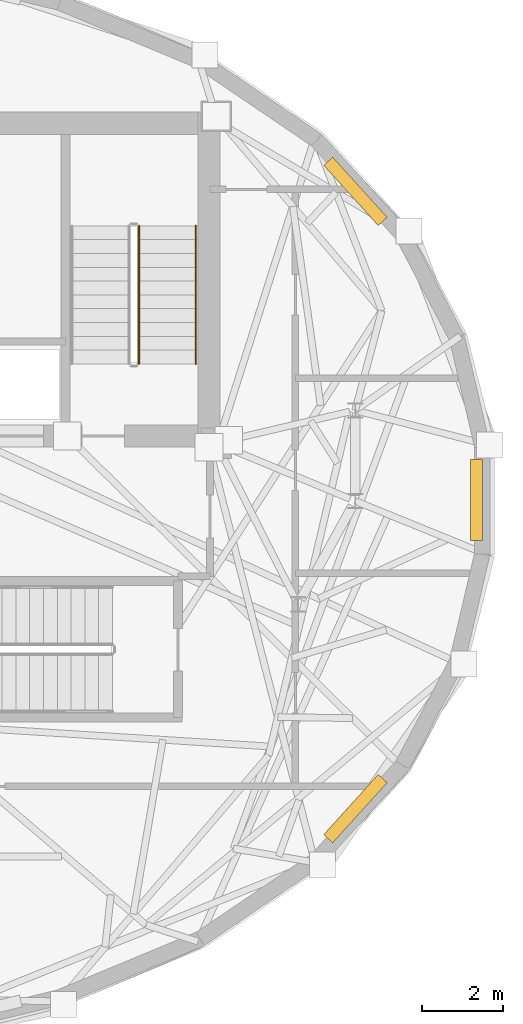
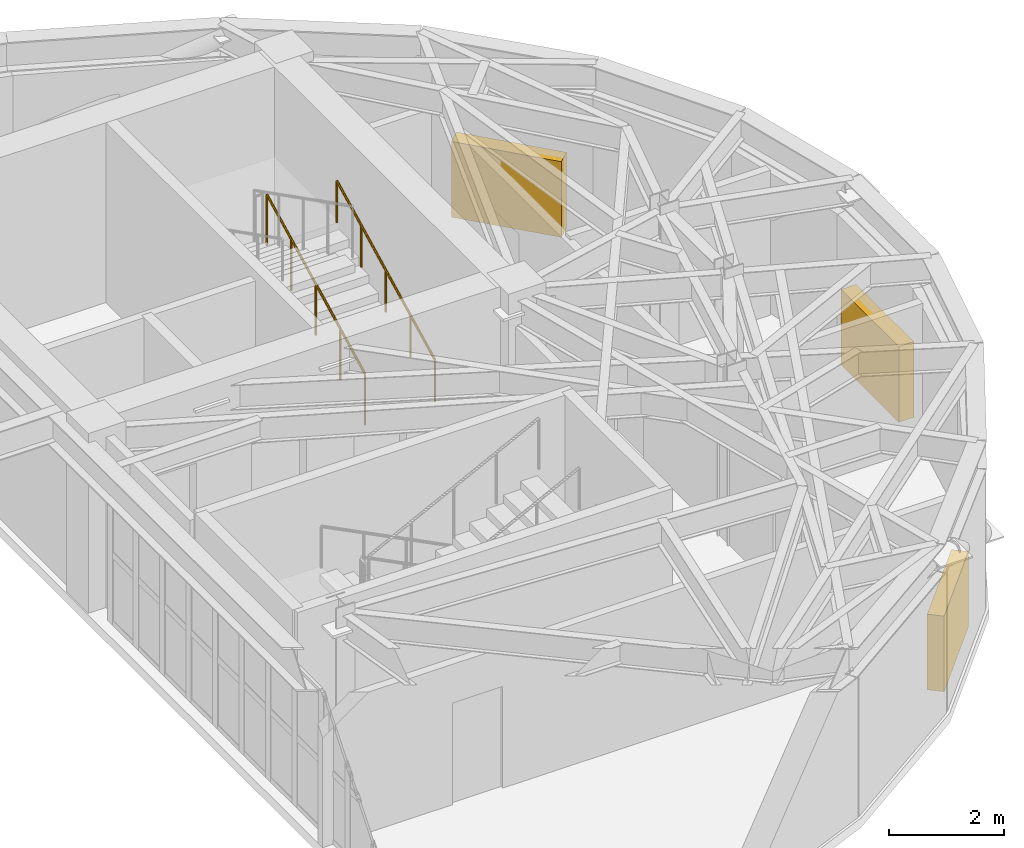
# One storey, part 13 of 13: 3 shading devices, 2 railings.
"""IFC4 building model written with IfcOpenShell, lengths in metres."""

from ifc_helpers import new_model, si_unit, direction, frame, origin, origin_2d, place, context, subcontext, project, spatial, rectangle, circle, extrude, material, type_object, element, save


model = new_model("IFC4")

# Units and contexts
model_context = context("Model", 3, precision=1e-05, world=origin(), true_north=direction((0.0, 1.0)))
body_context = subcontext(model_context, "Body", "Model", "MODEL_VIEW")
ifc_project = project(units=[si_unit("LENGTHUNIT", "METRE"), si_unit("AREAUNIT", "SQUARE_METRE"), si_unit("VOLUMEUNIT", "CUBIC_METRE"), si_unit("PLANEANGLEUNIT", "RADIAN"), si_unit("MASSUNIT", "GRAM", prefix="KILO")], contexts=[model_context])

# Site, building, storey
site_placement = place(None, origin())
site = spatial("IfcSite", under=ifc_project, at=site_placement, CompositionType="ELEMENT")
building_placement = place(site_placement, origin())
building = spatial("IfcBuilding", under=site, at=building_placement, Name="Keldmark Tower", CompositionType="ELEMENT")
storey_placement = place(building_placement, frame((0.0, 0.0, 280.60009765625)))
storey = spatial("IfcBuildingStorey", under=building, at=storey_placement, Name="L79", CompositionType="ELEMENT", Elevation=280.60009765625)

# Shading devices
ifc_material_1 = material(Name="Fluoropolymer-Coated Extruded Aluminum Stormproof Blades", Category="aluminium")
shading_device_type = type_object("IfcShadingDeviceType", Name="Mechanical Floor Acoustic Intake Louvre", PredefinedType="JALOUSIE", material=ifc_material_1)
for number, where, z_axis, x_axis, name in (
    (1, (17.0322265625, 7.599365234375, -0.000244140625), (0.0, 0.0, 1.0), (-0.671151494219, 0.741320222176, 0.0), "L79 Crown Screen Acoustic Louvre E04"),
    (2, (20.012451171875, 0.0, -0.000244140625), (0.0, 0.0, 1.0), (0.0, 1.0, 0.0), "L79 Crown Screen Acoustic Louvre E07"),
    (3, (17.0322265625, -7.599365234375, -0.000244140625), (0.0, 0.0, 1.0), (0.671151494219, 0.741320222176, 0.0), "L79 Crown Screen Acoustic Louvre E10"),
):
    element("IfcShadingDevice", number, at=place(storey_placement, frame(where, z_axis=z_axis, x_axis=x_axis)), inside=storey, type_object=shading_device_type, Name=name, PredefinedType="JALOUSIE", context=body_context, shape_type="SweptSolid", body=[
        extrude(rectangle(XDim=2.0, YDim=0.300048828125, at=origin_2d()), origin(), (0.0, 0.0, 1.0), 1.60009765625),
    ])

# Railings
ifc_material_2 = material(Name="Painted Steel ASTM A500 Grade B", Category="steel")
railing_type_1 = type_object("IfcRailingType", Name="Painted Steel Stair Well Guard 1100 mm", PredefinedType="GUARDRAIL", material=ifc_material_2)
railing_1_placement = place(storey_placement, frame((11.699951171875, 3.35009765625, 0.172607421875)))
element("IfcRailing", 4, at=railing_1_placement, inside=storey, type_object=railing_type_1, Name="L79 ST2 stair guard 1", PredefinedType="GUARDRAIL", context=body_context, shape_type="SweptSolid", body=[
    extrude(circle(Radius=0.02392578125, at=origin_2d()), frame((0.0, 0.0, 1.076171875), z_axis=(0.0, 0.89154070688, 0.452940578858), x_axis=(-1.0, 0.0, 0.0)), (0.0, 0.0, 1.0), 3.8134765625),
    extrude(circle(Radius=0.02099609375, at=origin_2d()), origin(), (0.0, 0.0, 1.0), 1.052001953125),
    extrude(circle(Radius=0.02099609375, at=origin_2d()), frame((0.0, 0.85009765625, 0.431884765625)), (0.0, 0.0, 1.0), 1.052001953125),
    extrude(circle(Radius=0.02099609375, at=origin_2d()), frame((0.0, 1.699951171875, 0.86376953125)), (0.0, 0.0, 1.0), 1.052001953125),
    extrude(circle(Radius=0.02099609375, at=origin_2d()), frame((0.0, 2.5498046875, 1.29541015625)), (0.0, 0.0, 1.0), 1.052001953125),
    extrude(circle(Radius=0.02099609375, at=origin_2d()), frame((0.0, 3.39990234375, 1.727294921875)), (0.0, 0.0, 1.0), 1.052001953125),
])
ifc_material_3 = material(Name="Stainless Steel AISI 316L", Category="steel")
railing_type_2 = type_object("IfcRailingType", Name="Stainless Steel Stair Handrail 900 mm", PredefinedType="HANDRAIL", material=ifc_material_3)
railing_2_placement = place(storey_placement, frame((13.10009765625, 3.35009765625, 0.172607421875)))
element("IfcRailing", 5, at=railing_2_placement, inside=storey, type_object=railing_type_2, Name="L79 ST2 stair handrail 1", PredefinedType="HANDRAIL", context=body_context, shape_type="SweptSolid", body=[
    extrude(circle(Radius=0.02392578125, at=origin_2d()), frame((0.0, 0.0, 0.8759765625), z_axis=(0.0, 0.89154070688, 0.452940578858), x_axis=(-1.0, 0.0, 0.0)), (0.0, 0.0, 1.0), 3.8134765625),
    extrude(circle(Radius=0.02099609375, at=origin_2d()), origin(), (0.0, 0.0, 1.0), 0.851806640625),
    extrude(circle(Radius=0.02099609375, at=origin_2d()), frame((0.0, 0.85009765625, 0.431884765625)), (0.0, 0.0, 1.0), 0.851806640625),
    extrude(circle(Radius=0.02099609375, at=origin_2d()), frame((0.0, 1.699951171875, 0.86376953125)), (0.0, 0.0, 1.0), 0.851806640625),
    extrude(circle(Radius=0.02099609375, at=origin_2d()), frame((0.0, 2.5498046875, 1.29541015625)), (0.0, 0.0, 1.0), 0.851806640625),
    extrude(circle(Radius=0.02099609375, at=origin_2d()), frame((0.0, 3.39990234375, 1.727294921875)), (0.0, 0.0, 1.0), 0.851806640625),
])

save(model, "model.ifc")
